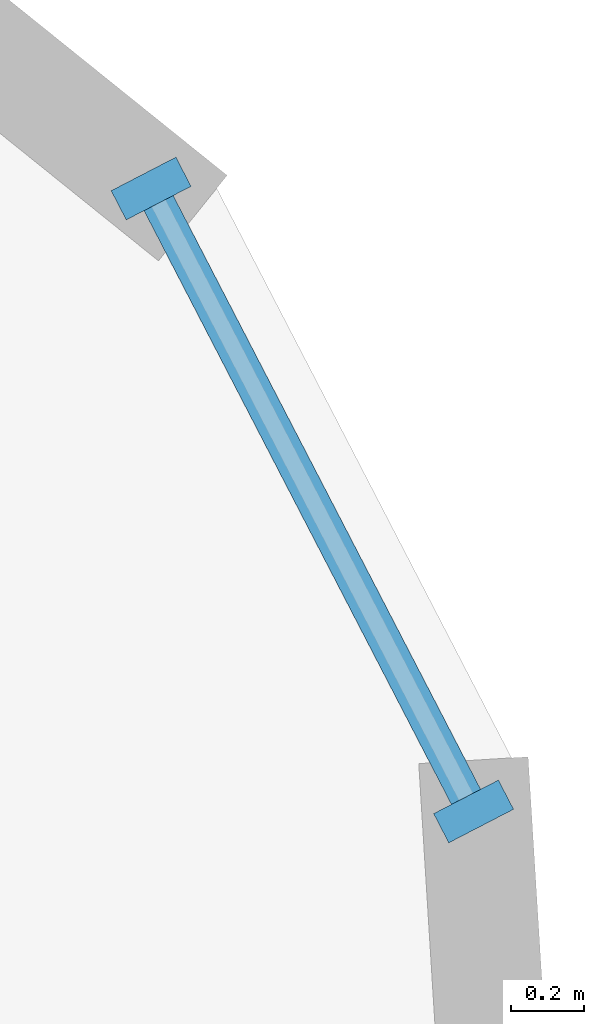
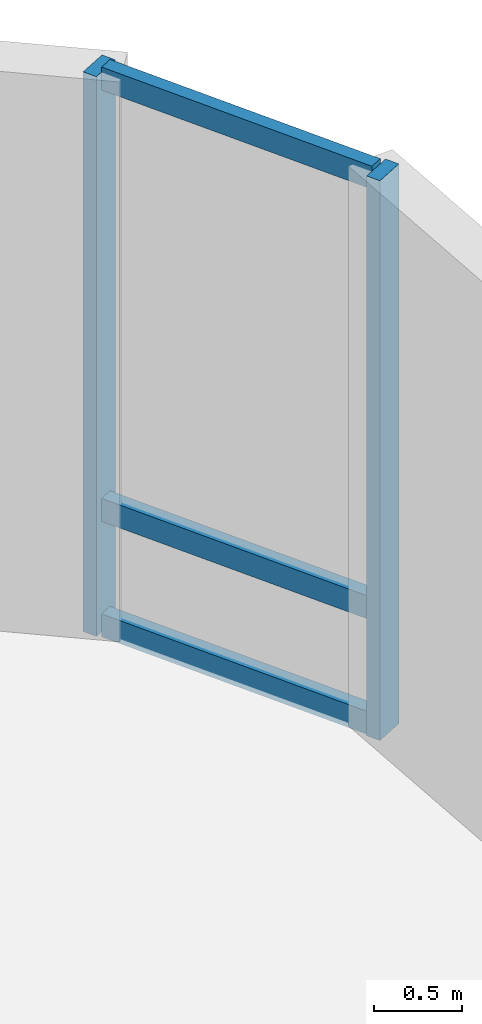
# One storey, part 6 of 14: 5 members, 1 element without a shape of its own.
"""IFC4 building model written with IfcOpenShell, lengths in metres."""

from ifc_helpers import new_model, si_unit, direction, frame, origin, origin_2d, place, context, subcontext, project, spatial, rectangle, extrude, material, layer, layer_set, material_profile, profile_set, type_object, element, aggregate, save


model = new_model("IFC4")

# Units and contexts
model_context = context("Model", 3, precision=1e-05, world=origin(), true_north=direction((0.0, 1.0)))
body_context = subcontext(model_context, "Body", "Model", "MODEL_VIEW")
ifc_project = project(units=[si_unit("LENGTHUNIT", "METRE"), si_unit("AREAUNIT", "SQUARE_METRE"), si_unit("VOLUMEUNIT", "CUBIC_METRE"), si_unit("PLANEANGLEUNIT", "RADIAN"), si_unit("MASSUNIT", "GRAM", prefix="KILO")], contexts=[model_context])

# Site, building, storey
site_placement = place(None, origin())
site = spatial("IfcSite", under=ifc_project, at=site_placement, CompositionType="ELEMENT")
building_placement = place(site_placement, origin())
building = spatial("IfcBuilding", under=site, at=building_placement, Name="Korentha Bioscience Tower", CompositionType="ELEMENT")
storey_placement = place(building_placement, frame((0.0, 0.0, 239.39990234375)))
storey = spatial("IfcBuildingStorey", under=building, at=storey_placement, Name="L55", CompositionType="ELEMENT", Elevation=239.39990234375)

# Curtain wall, members
ifc_material_1 = material(Name="Thermally Broken Aluminium Frame", Category="aluminium")
ifc_layer = layer(ifc_material_1, 0.219970703125, Name="Thermally Broken Aluminium Frame")
ifc_layer_set = layer_set([ifc_layer], Name="Thermally Broken Aluminium Frame (CW-T1)")
curtain_wall_type = type_object("IfcCurtainWallType", Name="Standard Bioscience Lab Unitised Curtain Wall CW-T1", PredefinedType="USERDEFINED", material=ifc_layer_set)
curtain_wall_placement = place(storey_placement, origin())
curtain_wall = element("IfcCurtainWall", 1, at=curtain_wall_placement, inside=storey, type_object=curtain_wall_type, Name="L55 Curtain Wall 61", ObjectType="UNITISED", PredefinedType="USERDEFINED")
ifc_material_2 = material(Name="Anodised Aluminium 6063-T6", Category="aluminium")
ifc_material_profile_1 = material_profile(ifc_material_2, rectangle(XDim=0.090087890625, YDim=0.199951171875, at=origin_2d()), Name="Anodised Aluminium 6063-T6")
ifc_profile_set_1 = profile_set([ifc_material_profile_1], Name="Anodised Aluminium 6063-T6 (CW-MUL)")
member_type_1 = type_object("IfcMemberType", Name="Mullion RECT 90x200", PredefinedType="MULLION", material=ifc_profile_set_1)
member_1_placement = place(storey_placement, frame((53.356689453125, 42.9443359375, 0.0), z_axis=(0.0, 0.0, 1.0), x_axis=(-0.459738031963, 0.888054582763, 0.0)))
member_1 = element("IfcMember", 2, at=member_1_placement, type_object=member_type_1, Name="CW-L55-61 Mullion 1", PredefinedType="MULLION", context=body_context, shape_type="SweptSolid", body=[
    extrude(rectangle(XDim=0.090087890625, YDim=0.199951171875, at=origin_2d()), origin(), (0.0, 0.0, 1.0), 3.900146484375),
])
member_2_placement = place(storey_placement, frame((52.473388671875, 44.650390625, 0.0), z_axis=(0.0, 0.0, 1.0), x_axis=(-0.459738031963, 0.888054582763, 0.0)))
member_2 = element("IfcMember", 3, at=member_2_placement, type_object=member_type_1, Name="CW-L55-61 Mullion 2", PredefinedType="MULLION", context=body_context, shape_type="SweptSolid", body=[
    extrude(rectangle(XDim=0.090087890625, YDim=0.199951171875, at=origin_2d()), origin(), (0.0, 0.0, 1.0), 3.900146484375),
])
ifc_material_profile_2 = material_profile(ifc_material_2, rectangle(XDim=0.090087890625, YDim=0.159912109375, at=origin_2d()), Name="Anodised Aluminium 6063-T6")
ifc_profile_set_2 = profile_set([ifc_material_profile_2], Name="Anodised Aluminium 6063-T6 (CW-TRN)")
member_type_2 = type_object("IfcMemberType", Name="Transom RECT 90x160", PredefinedType="USERDEFINED", material=ifc_profile_set_2)
member_3_placement = place(storey_placement, frame((53.3359375, 42.984130859375, 0.045166015625), z_axis=(-0.459752886798, 0.888046892389, 0.0), x_axis=(-0.888046892389, -0.459752886798, 0.0)))
member_3 = element("IfcMember", 4, at=member_3_placement, type_object=member_type_2, Name="CW-L55-61 Bay 1 Transom 1", ObjectType="TRANSOM", PredefinedType="USERDEFINED", context=body_context, shape_type="SweptSolid", body=[
    extrude(rectangle(XDim=0.090087890625, YDim=0.159912109375, at=origin_2d()), origin(), (0.0, 0.0, 1.0), 1.83154296875),
])
member_4_placement = place(storey_placement, frame((53.3359375, 42.984130859375, 0.85009765625), z_axis=(-0.459752886798, 0.888046892389, 0.0), x_axis=(-0.888046892389, -0.459752886798, 0.0)))
member_4 = element("IfcMember", 5, at=member_4_placement, type_object=member_type_2, Name="CW-L55-61 Bay 1 Transom 2", ObjectType="TRANSOM", PredefinedType="USERDEFINED", context=body_context, shape_type="SweptSolid", body=[
    extrude(rectangle(XDim=0.090087890625, YDim=0.159912109375, at=origin_2d()), origin(), (0.0, 0.0, 1.0), 1.83154296875),
])
member_5_placement = place(storey_placement, frame((53.3359375, 42.984130859375, 3.85498046875), z_axis=(-0.459752886798, 0.888046892389, 0.0), x_axis=(-0.888046892389, -0.459752886798, 0.0)))
member_5 = element("IfcMember", 6, at=member_5_placement, type_object=member_type_2, Name="CW-L55-61 Bay 1 Transom 3", ObjectType="TRANSOM", PredefinedType="USERDEFINED", context=body_context, shape_type="SweptSolid", body=[
    extrude(rectangle(XDim=0.090087890625, YDim=0.159912109375, at=origin_2d()), origin(), (0.0, 0.0, 1.0), 1.83154296875),
])
aggregate(curtain_wall, [member_1, member_2, member_3, member_4, member_5])

save(model, "model.ifc")
